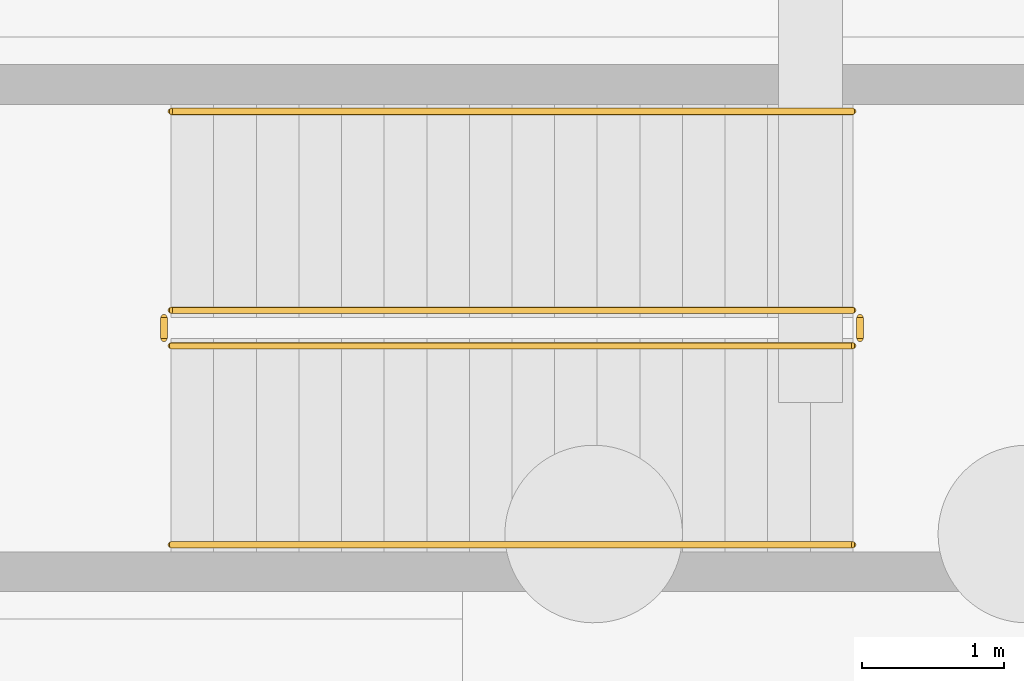
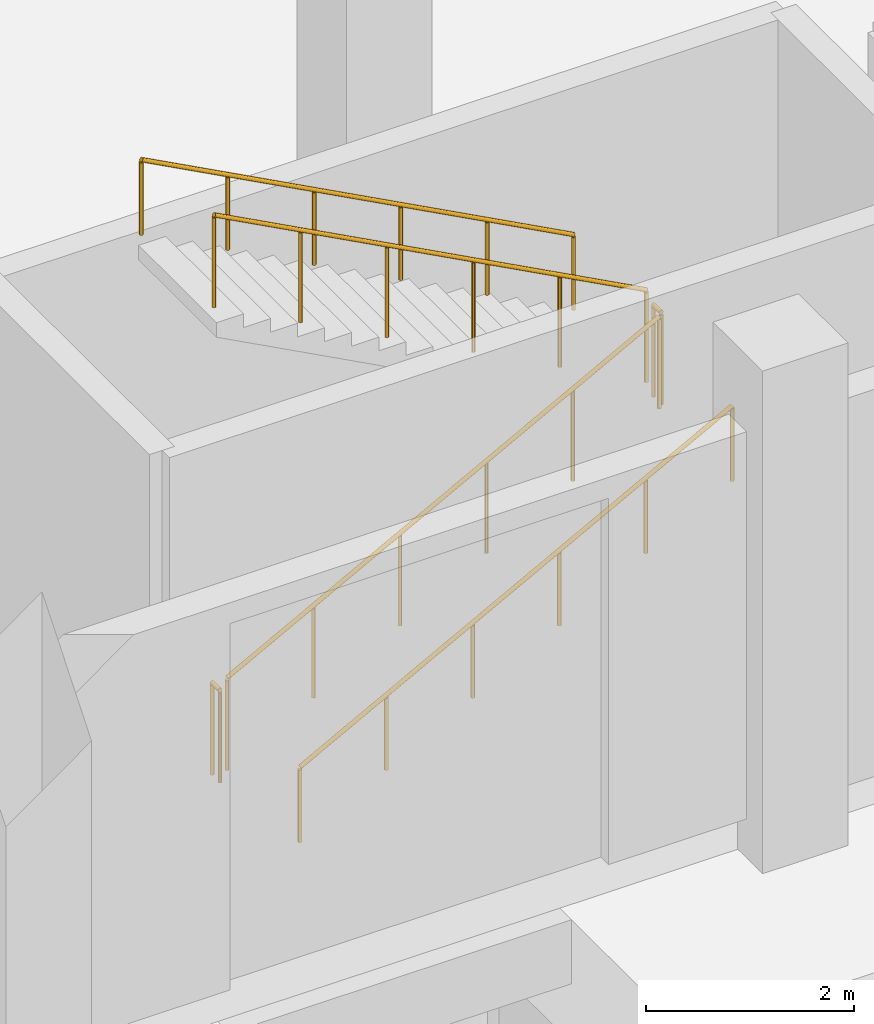
# One storey, part 70 of 83: 6 railings.
"""IFC4 building model written with IfcOpenShell, lengths in metres."""

from ifc_helpers import new_model, si_unit, direction, frame, origin, origin_2d, place, context, subcontext, project, spatial, circle, extrude, material, type_object, element, save


model = new_model("IFC4")

# Units and contexts
model_context = context("Model", 3, precision=1e-05, world=origin(), true_north=direction((0.0, 1.0)))
body_context = subcontext(model_context, "Body", "Model", "MODEL_VIEW")
ifc_project = project(units=[si_unit("LENGTHUNIT", "METRE"), si_unit("AREAUNIT", "SQUARE_METRE"), si_unit("VOLUMEUNIT", "CUBIC_METRE"), si_unit("PLANEANGLEUNIT", "RADIAN"), si_unit("MASSUNIT", "GRAM", prefix="KILO"), si_unit("THERMODYNAMICTEMPERATUREUNIT", "KELVIN"), si_unit("POWERUNIT", "WATT")], contexts=[model_context])

# Site, building, storey
site_placement = place(None, origin())
site = spatial("IfcSite", under=ifc_project, at=site_placement, CompositionType="ELEMENT")
building_placement = place(site_placement, origin())
building = spatial("IfcBuilding", under=site, at=building_placement, Name="Mavoryth Pier Ferry Terminal", CompositionType="ELEMENT")
storey_placement = place(building_placement, origin())
storey = spatial("IfcBuildingStorey", under=building, at=storey_placement, Name="L00", CompositionType="ELEMENT", Elevation=0.0)

# Railings
ifc_material_1 = material(Name="Painted Galvanised Steel Balustrade", Category="steel")
railing_type_1 = type_object("IfcRailingType", Name="Guard-Stair-Steel1100", PredefinedType="GUARDRAIL", material=ifc_material_1)
railing_1_placement = place(storey_placement, frame((121.5, 16.85009765625, 0.159912109375)))
element("IfcRailing", 1, at=railing_1_placement, inside=storey, type_object=railing_type_1, Name="L00 ST08 stair guard 1", PredefinedType="GUARDRAIL", context=body_context, shape_type="SweptSolid", body=[
    extrude(circle(Radius=0.02392578125, at=origin_2d()), frame((0.0, 0.0, 1.076171875), z_axis=(0.882350456557, 0.0, 0.470592893925), x_axis=(0.0, 1.0, 0.0)), (0.0, 0.0, 1.0), 5.440185546875),
    extrude(circle(Radius=0.02099609375, at=origin_2d()), origin(), (0.0, 0.0, 1.0), 1.052001953125),
    extrude(circle(Radius=0.02099609375, at=origin_2d()), frame((0.9599609375, 0.0, 0.511962890625)), (0.0, 0.0, 1.0), 1.052001953125),
    extrude(circle(Radius=0.02099609375, at=origin_2d()), frame((1.919921875, 0.0, 1.02392578125)), (0.0, 0.0, 1.0), 1.052001953125),
    extrude(circle(Radius=0.02099609375, at=origin_2d()), frame((2.880126953125, 0.0, 1.5361328125)), (0.0, 0.0, 1.0), 1.052001953125),
    extrude(circle(Radius=0.02099609375, at=origin_2d()), frame((3.840087890625, 0.0, 2.048095703125)), (0.0, 0.0, 1.0), 1.052001953125),
    extrude(circle(Radius=0.02099609375, at=origin_2d()), frame((4.800048828125, 0.0, 2.56005859375)), (0.0, 0.0, 1.0), 1.052001953125),
])
railing_2_placement = place(storey_placement, frame((126.35009765625, 16.89990234375, 2.719970703125)))
element("IfcRailing", 2, at=railing_2_placement, inside=storey, type_object=railing_type_1, Name="L00 ST08 stair guard 2", PredefinedType="GUARDRAIL", context=body_context, shape_type="SweptSolid", body=[
    extrude(circle(Radius=0.02392578125, at=origin_2d()), frame((0.0, 0.0, 1.076171875), z_axis=(0.0, 1.0, 0.0), x_axis=(-1.0, 0.0, 0.0)), (0.0, 0.0, 1.0), 0.150146484375),
    extrude(circle(Radius=0.02099609375, at=origin_2d()), origin(), (0.0, 0.0, 1.0), 1.052001953125),
    extrude(circle(Radius=0.02099609375, at=origin_2d()), frame((0.0, 0.150146484375, 0.0)), (0.0, 0.0, 1.0), 1.052001953125),
])
railing_3_placement = place(storey_placement, frame((126.300048828125, 17.10009765625, 2.8798828125)))
element("IfcRailing", 3, at=railing_3_placement, inside=storey, type_object=railing_type_1, Name="L00 ST08 stair guard 3", PredefinedType="GUARDRAIL", context=body_context, shape_type="SweptSolid", body=[
    extrude(circle(Radius=0.02392578125, at=origin_2d()), frame((0.0, 0.0, 1.076171875), z_axis=(-0.882350456557, 0.0, 0.470592893925), x_axis=(0.0, -1.0, 0.0)), (0.0, 0.0, 1.0), 5.440185546875),
    extrude(circle(Radius=0.02099609375, at=origin_2d()), origin(), (0.0, 0.0, 1.0), 1.052001953125),
    extrude(circle(Radius=0.02099609375, at=origin_2d()), frame((-0.9599609375, 0.0, 0.511962890625)), (0.0, 0.0, 1.0), 1.052001953125),
    extrude(circle(Radius=0.02099609375, at=origin_2d()), frame((-1.919921875, 0.0, 1.02392578125)), (0.0, 0.0, 1.0), 1.052001953125),
    extrude(circle(Radius=0.02099609375, at=origin_2d()), frame((-2.880126953125, 0.0, 1.5361328125)), (0.0, 0.0, 1.0), 1.052001953125),
    extrude(circle(Radius=0.02099609375, at=origin_2d()), frame((-3.840087890625, 0.0, 2.048095703125)), (0.0, 0.0, 1.0), 1.052001953125),
    extrude(circle(Radius=0.02099609375, at=origin_2d()), frame((-4.800048828125, 0.0, 2.56005859375)), (0.0, 0.0, 1.0), 1.052001953125),
])
railing_4_placement = place(storey_placement, frame((121.449951171875, 16.89990234375, 0.0)))
element("IfcRailing", 4, at=railing_4_placement, inside=storey, type_object=railing_type_1, Name="L00 ST08 stair guard 4", PredefinedType="GUARDRAIL", context=body_context, shape_type="SweptSolid", body=[
    extrude(circle(Radius=0.02392578125, at=origin_2d()), frame((0.0, 0.0, 1.076171875), z_axis=(0.0, 1.0, 0.0), x_axis=(-1.0, 0.0, 0.0)), (0.0, 0.0, 1.0), 0.150146484375),
    extrude(circle(Radius=0.02099609375, at=origin_2d()), origin(), (0.0, 0.0, 1.0), 1.052001953125),
    extrude(circle(Radius=0.02099609375, at=origin_2d()), frame((0.0, 0.150146484375, 0.0)), (0.0, 0.0, 1.0), 1.052001953125),
])
ifc_material_2 = material(Name="Brushed Stainless Steel Tubular Handrail", Category="steel")
railing_type_2 = type_object("IfcRailingType", Name="Handrail-Stair-SS900", PredefinedType="HANDRAIL", material=ifc_material_2)
railing_5_placement = place(storey_placement, frame((121.5, 15.449951171875, 0.159912109375)))
element("IfcRailing", 5, at=railing_5_placement, inside=storey, type_object=railing_type_2, Name="L00 ST08 stair handrail 1", PredefinedType="HANDRAIL", context=body_context, shape_type="SweptSolid", body=[
    extrude(circle(Radius=0.02392578125, at=origin_2d()), frame((0.0, 0.0, 0.8759765625), z_axis=(0.882350456557, 0.0, 0.470592893925), x_axis=(0.0, 1.0, 0.0)), (0.0, 0.0, 1.0), 5.440185546875),
    extrude(circle(Radius=0.02099609375, at=origin_2d()), origin(), (0.0, 0.0, 1.0), 0.851806640625),
    extrude(circle(Radius=0.02099609375, at=origin_2d()), frame((0.9599609375, 0.0, 0.511962890625)), (0.0, 0.0, 1.0), 0.851806640625),
    extrude(circle(Radius=0.02099609375, at=origin_2d()), frame((1.919921875, 0.0, 1.02392578125)), (0.0, 0.0, 1.0), 0.851806640625),
    extrude(circle(Radius=0.02099609375, at=origin_2d()), frame((2.880126953125, 0.0, 1.5361328125)), (0.0, 0.0, 1.0), 0.851806640625),
    extrude(circle(Radius=0.02099609375, at=origin_2d()), frame((3.840087890625, 0.0, 2.048095703125)), (0.0, 0.0, 1.0), 0.851806640625),
    extrude(circle(Radius=0.02099609375, at=origin_2d()), frame((4.800048828125, 0.0, 2.56005859375)), (0.0, 0.0, 1.0), 0.851806640625),
])
railing_6_placement = place(storey_placement, frame((126.300048828125, 18.5, 2.8798828125)))
element("IfcRailing", 6, at=railing_6_placement, inside=storey, type_object=railing_type_2, Name="L00 ST08 stair handrail 2", PredefinedType="HANDRAIL", context=body_context, shape_type="SweptSolid", body=[
    extrude(circle(Radius=0.02392578125, at=origin_2d()), frame((0.0, 0.0, 0.8759765625), z_axis=(-0.882350456557, 0.0, 0.470592893925), x_axis=(0.0, -1.0, 0.0)), (0.0, 0.0, 1.0), 5.440185546875),
    extrude(circle(Radius=0.02099609375, at=origin_2d()), origin(), (0.0, 0.0, 1.0), 0.851806640625),
    extrude(circle(Radius=0.02099609375, at=origin_2d()), frame((-0.9599609375, 0.0, 0.511962890625)), (0.0, 0.0, 1.0), 0.851806640625),
    extrude(circle(Radius=0.02099609375, at=origin_2d()), frame((-1.919921875, 0.0, 1.02392578125)), (0.0, 0.0, 1.0), 0.851806640625),
    extrude(circle(Radius=0.02099609375, at=origin_2d()), frame((-2.880126953125, 0.0, 1.5361328125)), (0.0, 0.0, 1.0), 0.851806640625),
    extrude(circle(Radius=0.02099609375, at=origin_2d()), frame((-3.840087890625, 0.0, 2.048095703125)), (0.0, 0.0, 1.0), 0.851806640625),
    extrude(circle(Radius=0.02099609375, at=origin_2d()), frame((-4.800048828125, 0.0, 2.56005859375)), (0.0, 0.0, 1.0), 0.851806640625),
])

save(model, "model.ifc")
